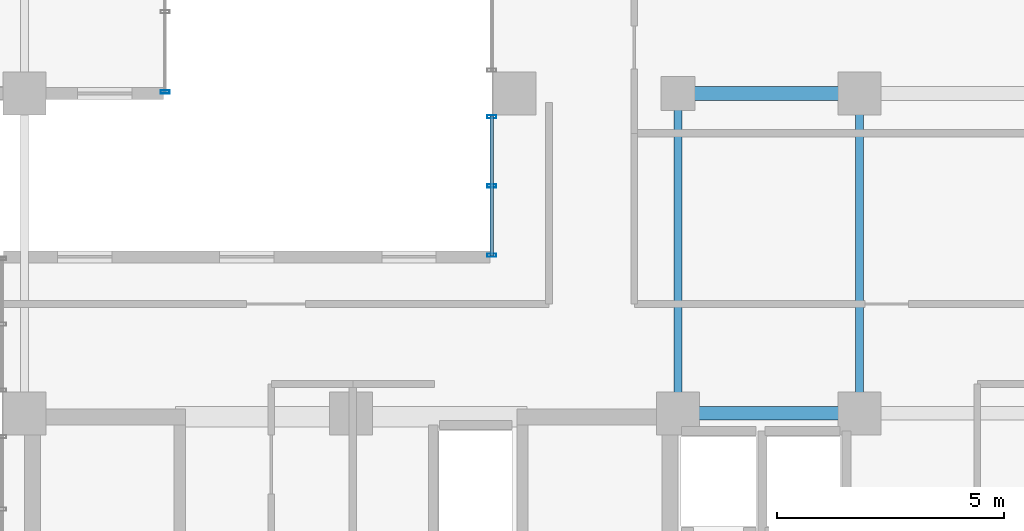
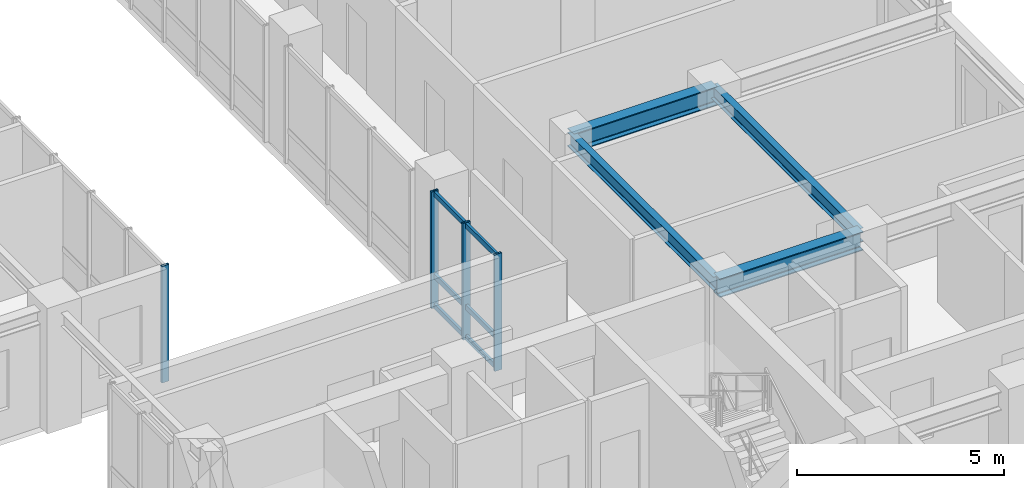
# One storey, part 7 of 24: 7 members, 4 beams, 2 elements without a shape of their own.
"""IFC4 building model written with IfcOpenShell, lengths in metres."""

from ifc_helpers import new_model, si_unit, direction, frame, origin, origin_2d, place, context, subcontext, project, spatial, hollow_rectangle, i_section, extrude, source, transform, mapped, material, layer, layer_set, material_profile, profile_set, type_object, element, aggregate, save


model = new_model("IFC4")

# Units and contexts
model_context = context("Model", 3, precision=1e-05, world=origin(), true_north=direction((0.0, 1.0)))
body_context = subcontext(model_context, "Body", "Model", "MODEL_VIEW")
ifc_project = project(units=[si_unit("LENGTHUNIT", "METRE"), si_unit("AREAUNIT", "SQUARE_METRE"), si_unit("VOLUMEUNIT", "CUBIC_METRE"), si_unit("PLANEANGLEUNIT", "RADIAN"), si_unit("MASSUNIT", "GRAM", prefix="KILO")], contexts=[model_context])

# Site, building, storey
site_placement = place(None, origin())
site = spatial("IfcSite", under=ifc_project, at=site_placement, CompositionType="ELEMENT")
building_placement = place(site_placement, origin())
building = spatial("IfcBuilding", under=site, at=building_placement, Name="Kaliganga Portal Commons", CompositionType="ELEMENT")
storey_placement = place(building_placement, frame((0.0, 0.0, 242.5)))
storey = spatial("IfcBuildingStorey", under=building, at=storey_placement, Name="L62", CompositionType="ELEMENT", Elevation=242.5)

# Beams
ifc_material_1 = material(Name="Structural steel S355J2", Category="steel")
ifc_material_profile_1 = material_profile(ifc_material_1, i_section(OverallWidth=0.300048828125, OverallDepth=0.550048828125, WebThickness=0.014892578125, FlangeThickness=0.029052734375, FilletRadius=0.027099609375, at=origin_2d()), Name="HE 550 B")
ifc_profile_set_1 = profile_set([ifc_material_profile_1], Name="Structural steel S355J2 wide-flange")
beam_type_1 = type_object("IfcBeamType", Name="BM-GIRD-550", PredefinedType="USERDEFINED", material=ifc_profile_set_1)
shared_shape_1 = source(origin(), body_context, "Body", "SweptSolid", [
    extrude(i_section(OverallWidth=0.300048828125, OverallDepth=0.550048828125, WebThickness=0.014892578125, FlangeThickness=0.029052734375, FilletRadius=0.027099609375, at=origin_2d()), origin(), (0.0, 0.0, 1.0), 4.0),
])
for number, where, z_axis, x_axis, name in (
    (1, (50.39990234375, 14.550048828125, 3.1650390625), (1.0, 0.0, 0.0), (0.0, 1.0, 0.0), "BM G L62 BKE146 1"),
    (2, (50.39990234375, 21.60009765625, 3.1650390625), (1.0, 0.0, 0.0), (0.0, 1.0, 0.0), "BM G L62 BKE216 1"),
):
    element("IfcBeam", number, at=place(storey_placement, frame(where, z_axis=z_axis, x_axis=x_axis)), inside=storey, type_object=beam_type_1, Name=name, ObjectType="GIRDER", PredefinedType="USERDEFINED", context=body_context, shape_type="MappedRepresentation", body=[
        mapped(shared_shape_1, transform((0.0, 0.0, 0.0), x_axis=(1.0, 0.0, 0.0), y_axis=(0.0, 1.0, 0.0), z_axis=(0.0, 0.0, 1.0), scale=1.0)),
    ])
ifc_material_profile_2 = material_profile(ifc_material_1, i_section(OverallWidth=0.179931640625, OverallDepth=0.39990234375, WebThickness=0.008544921875, FlangeThickness=0.013427734375, FilletRadius=0.02099609375, at=origin_2d()), Name="IPE 400")
ifc_profile_set_2 = profile_set([ifc_material_profile_2], Name="Structural steel S355J2 wide-flange")
beam_type_2 = type_object("IfcBeamType", Name="BM-FLR-400", PredefinedType="BEAM", material=ifc_profile_set_2)
shared_shape_2 = source(origin(), body_context, "Body", "SweptSolid", [
    extrude(i_section(OverallWidth=0.179931640625, OverallDepth=0.39990234375, WebThickness=0.008544921875, FlangeThickness=0.013427734375, FilletRadius=0.02099609375, at=origin_2d()), origin(), (0.0, 0.0, 1.0), 7.050048828125),
])
for number, where, z_axis, x_axis, name in (
    (3, (50.39990234375, 14.550048828125, 3.239990234375), (0.0, 1.0, 0.0), (-1.0, 0.0, 0.0), "BM G L62 BNK504"),
    (4, (54.39990234375, 14.550048828125, 3.239990234375), (0.0, 1.0, 0.0), (-1.0, 0.0, 0.0), "BM G L62 BNK544"),
):
    element("IfcBeam", number, at=place(storey_placement, frame(where, z_axis=z_axis, x_axis=x_axis)), inside=storey, type_object=beam_type_2, Name=name, PredefinedType="BEAM", context=body_context, shape_type="MappedRepresentation", body=[
        mapped(shared_shape_2, transform((0.0, 0.0, 0.0), x_axis=(1.0, 0.0, 0.0), y_axis=(0.0, 1.0, 0.0), z_axis=(0.0, 0.0, 1.0), scale=1.0)),
    ])

# Curtain wall, member
ifc_material_2 = material(Name="Anodized Aluminium and Laminated Low-E Glass", Category="aluminium")
ifc_layer = layer(ifc_material_2, 0.239990234375)
ifc_layer_set = layer_set([ifc_layer], Name="Anodized Aluminium and Laminated Low-E Glass")
curtain_wall_type = type_object("IfcCurtainWallType", Name="CW-SYS-04", PredefinedType="NOTDEFINED", material=ifc_layer_set)
curtain_wall_1_placement = place(storey_placement, origin())
curtain_wall_1 = element("IfcCurtainWall", 5, at=curtain_wall_1_placement, inside=storey, type_object=curtain_wall_type, Name="CW 04 L62 P1E01S1", PredefinedType="NOTDEFINED")
ifc_material_3 = material(Name="Dark Bronze Anodized Aluminium", Category="aluminium")
ifc_material_profile_3 = material_profile(ifc_material_3, hollow_rectangle(XDim=0.070068359375, YDim=0.199951171875, WallThickness=0.00390625, at=origin_2d()), Name="ALU MULL 70x200x4")
ifc_profile_set_3 = profile_set([ifc_material_profile_3], Name="Dark Bronze Anodized Aluminium")
member_type_1 = type_object("IfcMemberType", Name="CW-MUL-220", PredefinedType="MULLION", material=ifc_profile_set_3)
shared_shape_3 = source(origin(), body_context, "Body", "SweptSolid", [
    extrude(hollow_rectangle(XDim=0.070068359375, YDim=0.199951171875, WallThickness=0.00390625, at=origin_2d()), origin(), (0.0, 0.0, 1.0), 3.43994140625),
])
member_1_placement = place(storey_placement, frame((39.10009765625, 21.635009765625, 0.0), z_axis=(0.0, 0.0, 1.0), x_axis=(0.0, 1.0, 0.0)))
member_1 = element("IfcMember", 6, at=member_1_placement, type_object=member_type_1, Name="CW:04:L62:P1E01S1 Mullion 00", PredefinedType="MULLION", context=body_context, shape_type="MappedRepresentation", body=[
    mapped(shared_shape_3, transform((0.0, 0.0, 0.0), x_axis=(1.0, 0.0, 0.0), y_axis=(0.0, 1.0, 0.0), z_axis=(0.0, 0.0, 1.0), scale=1.0)),
])
aggregate(curtain_wall_1, [member_1])

# Curtain wall, members
curtain_wall_2_placement = place(storey_placement, origin())
curtain_wall_2 = element("IfcCurtainWall", 7, at=curtain_wall_2_placement, inside=storey, type_object=curtain_wall_type, Name="CW 04 L62 P2E07S4", PredefinedType="NOTDEFINED")
member_2_placement = place(storey_placement, frame((46.300048828125, 21.089111328125, 0.0), z_axis=(0.0, 0.0, 1.0), x_axis=(0.0, -1.0, 0.0)))
member_2 = element("IfcMember", 8, at=member_2_placement, type_object=member_type_1, Name="CW:04:L62:P2E07S4 Mullion 00", PredefinedType="MULLION", context=body_context, shape_type="MappedRepresentation", body=[
    mapped(shared_shape_3, transform((0.0, 0.0, 0.0), x_axis=(1.0, 0.0, 0.0), y_axis=(0.0, 1.0, 0.0), z_axis=(0.0, 0.0, 1.0), scale=1.0)),
])
member_3_placement = place(storey_placement, frame((46.300048828125, 19.56201171875, 0.0), z_axis=(0.0, 0.0, 1.0), x_axis=(0.0, -1.0, 0.0)))
member_3 = element("IfcMember", 9, at=member_3_placement, type_object=member_type_1, Name="CW:04:L62:P2E07S4 Mullion 01", PredefinedType="MULLION", context=body_context, shape_type="MappedRepresentation", body=[
    mapped(shared_shape_3, transform((0.0, 0.0, 0.0), x_axis=(1.0, 0.0, 0.0), y_axis=(0.0, 1.0, 0.0), z_axis=(0.0, 0.0, 1.0), scale=1.0)),
])
member_4_placement = place(storey_placement, frame((46.300048828125, 18.034912109375, 0.0), z_axis=(0.0, 0.0, 1.0), x_axis=(0.0, -1.0, 0.0)))
member_4 = element("IfcMember", 10, at=member_4_placement, type_object=member_type_1, Name="CW:04:L62:P2E07S4 Mullion 02", PredefinedType="MULLION", context=body_context, shape_type="MappedRepresentation", body=[
    mapped(shared_shape_3, transform((0.0, 0.0, 0.0), x_axis=(1.0, 0.0, 0.0), y_axis=(0.0, 1.0, 0.0), z_axis=(0.0, 0.0, 1.0), scale=1.0)),
])
ifc_material_profile_4 = material_profile(ifc_material_3, hollow_rectangle(XDim=0.070068359375, YDim=0.14990234375, WallThickness=0.00341796875, at=origin_2d()), Name="ALU TRAN 70x150x3.5")
ifc_profile_set_4 = profile_set([ifc_material_profile_4], Name="Dark Bronze Anodized Aluminium")
member_type_2 = type_object("IfcMemberType", Name="CW-TRN-150", PredefinedType="USERDEFINED", material=ifc_profile_set_4)
shared_shape_4 = source(origin(), body_context, "Body", "SweptSolid", [
    extrude(hollow_rectangle(XDim=0.070068359375, YDim=0.14990234375, WallThickness=0.00341796875, at=origin_2d()), origin(), (0.0, 0.0, 1.0), 3.083984375),
])
member_5_placement = place(storey_placement, frame((46.300048828125, 21.10400390625, 0.06005859375), z_axis=(0.0, -1.0, 0.0), x_axis=(1.0, 0.0, 0.0)))
member_5 = element("IfcMember", 11, at=member_5_placement, type_object=member_type_2, Name="CW:04:L62:P2E07S4 Transom 1", ObjectType="TRANSOM", PredefinedType="USERDEFINED", context=body_context, shape_type="MappedRepresentation", body=[
    mapped(shared_shape_4, transform((0.0, 0.0, 0.0), x_axis=(1.0, 0.0, 0.0), y_axis=(0.0, 1.0, 0.0), z_axis=(0.0, 0.0, 1.0), scale=1.0)),
])
member_6_placement = place(storey_placement, frame((46.300048828125, 21.10400390625, 0.949951171875), z_axis=(0.0, -1.0, 0.0), x_axis=(1.0, 0.0, 0.0)))
member_6 = element("IfcMember", 12, at=member_6_placement, type_object=member_type_2, Name="CW:04:L62:P2E07S4 Transom 2", ObjectType="TRANSOM", PredefinedType="USERDEFINED", context=body_context, shape_type="MappedRepresentation", body=[
    mapped(shared_shape_4, transform((0.0, 0.0, 0.0), x_axis=(1.0, 0.0, 0.0), y_axis=(0.0, 1.0, 0.0), z_axis=(0.0, 0.0, 1.0), scale=1.0)),
])
member_7_placement = place(storey_placement, frame((46.300048828125, 21.10400390625, 3.360107421875), z_axis=(0.0, -1.0, 0.0), x_axis=(1.0, 0.0, 0.0)))
member_7 = element("IfcMember", 13, at=member_7_placement, type_object=member_type_2, Name="CW:04:L62:P2E07S4 Transom 3", ObjectType="TRANSOM", PredefinedType="USERDEFINED", context=body_context, shape_type="MappedRepresentation", body=[
    mapped(shared_shape_4, transform((0.0, 0.0, 0.0), x_axis=(1.0, 0.0, 0.0), y_axis=(0.0, 1.0, 0.0), z_axis=(0.0, 0.0, 1.0), scale=1.0)),
])
aggregate(curtain_wall_2, [member_2, member_3, member_4, member_5, member_6, member_7])

save(model, "model.ifc")
